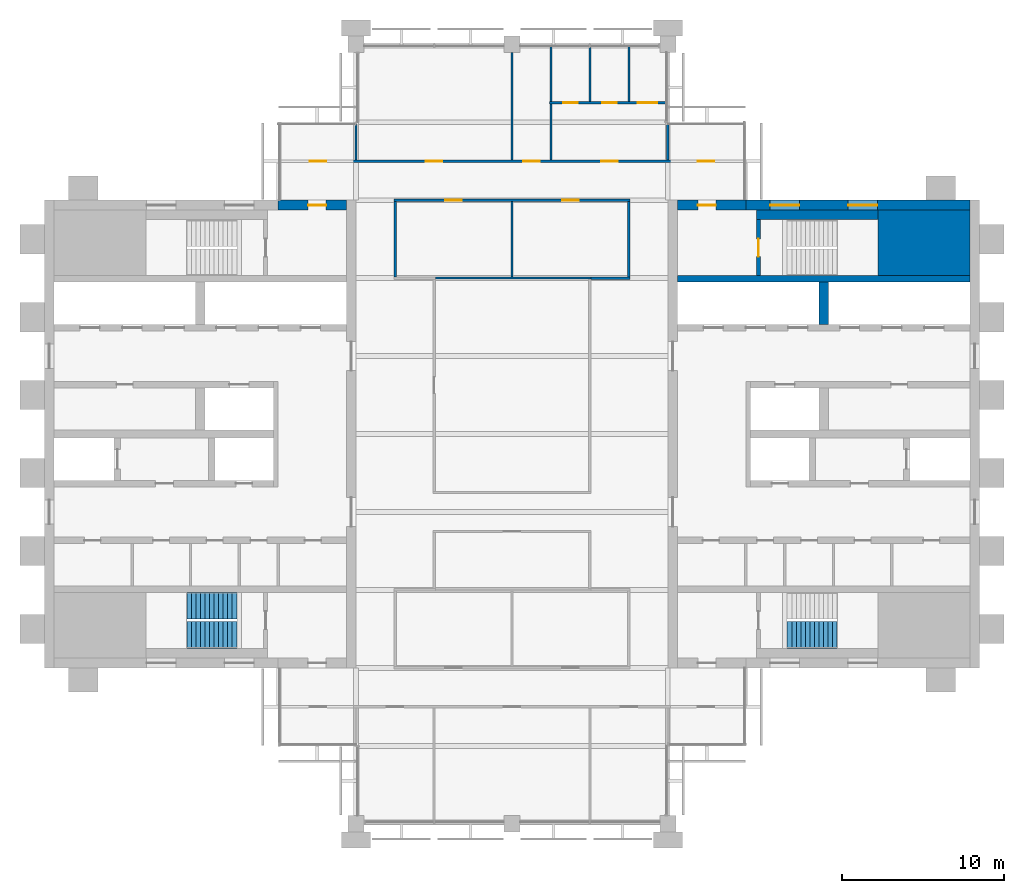
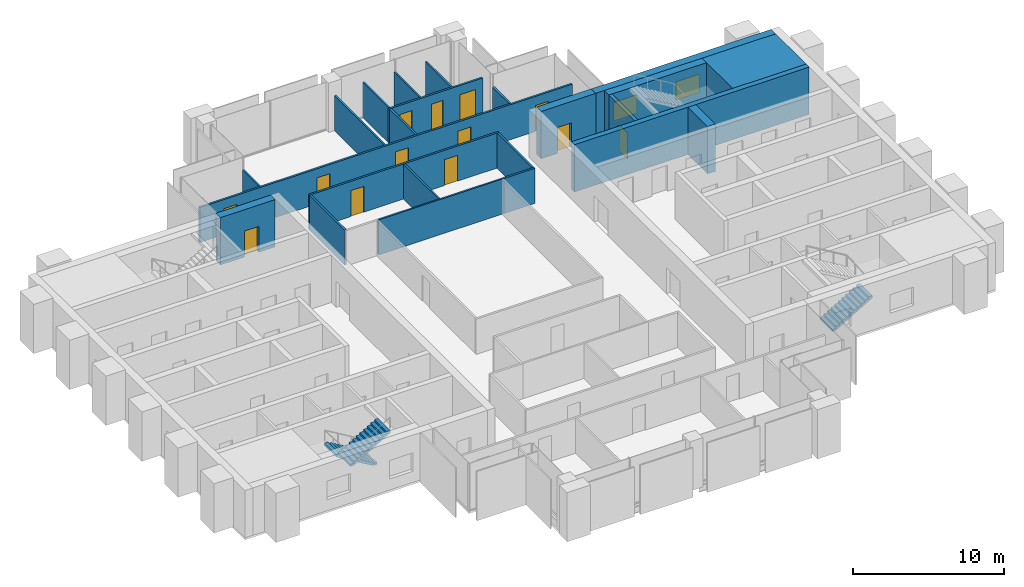
# One storey, part 11 of 13: 23 walls, 13 doors, 3 stair flights, 2 windows, 15 openings, 2 elements without a shape of their own.
"""IFC4 building model written with IfcOpenShell, lengths in metres."""

import ifcopenshell
import ifcopenshell.guid

model = None  # the IFC model being written
_history = None  # IfcOwnerHistory: only IFC2X3 demands one
_inside = {}  # id of a spatial element -> (the spatial element, [elements in it])
_under = {}  # id of a project, library or spatial element -> (it, [spatial elements below it])
_declared = {}  # id of a project -> (the project, [libraries it declares])
_typed = {}  # id of a type object -> (the type object, [elements of that type])
_made_of = {}  # id of a material, layer set ... -> (it, [elements and type objects made of it])


def new_model(schema):
    """Start an empty IFC model of exactly this schema.

    Asked for "IFC4X3", IfcOpenShell would pick the latest addendum, in which some entities
    have other attributes; the version numbers below select the first issue.
    IFC2X3 requires an IfcOwnerHistory on every rooted entity: one is made here for all.
    """
    global model, _history
    if schema == "IFC4X3":
        model = ifcopenshell.file(schema_version=(4, 3, 0, 0))
    else:
        model = ifcopenshell.file(schema=schema)
    _inside.clear()
    _under.clear()
    _declared.clear()
    _typed.clear()
    _made_of.clear()
    _history = None
    if model.schema == "IFC2X3":
        org = make("IfcOrganization", Name="unknown")
        user = make(
            "IfcPersonAndOrganization",
            ThePerson=make("IfcPerson", FamilyName="unknown"),
            TheOrganization=org,
        )
        app = make(
            "IfcApplication",
            ApplicationDeveloper=org,
            Version="unknown",
            ApplicationFullName="unknown",
            ApplicationIdentifier="unknown",
        )
        _history = make(
            "IfcOwnerHistory",
            OwningUser=user,
            OwningApplication=app,
            ChangeAction="ADDED",
            CreationDate=0,
        )
    return model


def make(cls, **values):
    """One entity of the class cls with the attributes given. An attribute that is None is left unset."""
    return model.create_entity(
        cls, **{name: value for name, value in values.items() if value is not None}
    )


def rooted(cls, **values):
    """An entity with a GlobalId (a new one), such as an element, a storey or a relation."""
    return make(cls, GlobalId=ifcopenshell.guid.new(), OwnerHistory=_history, **values)


def si_unit(unit_type, name, prefix=None):
    """IfcSIUnit, for example si_unit("LENGTHUNIT", "METRE", prefix="MILLI")."""
    return make("IfcSIUnit", UnitType=unit_type, Prefix=prefix, Name=name)


def assignment(units):
    """IfcUnitAssignment: the units of a project."""
    return None if units is None else make("IfcUnitAssignment", Units=units)


def point(xyz):
    """IfcCartesianPoint."""
    return None if xyz is None else make("IfcCartesianPoint", Coordinates=xyz)


def direction(xyz):
    """IfcDirection."""
    return None if xyz is None else make("IfcDirection", DirectionRatios=xyz)


def frame(location, z_axis=None, x_axis=None):
    """IfcAxis2Placement3D, a coordinate frame: its origin and axes. An axis left out is left unset."""
    return make(
        "IfcAxis2Placement3D",
        Location=point(location),
        Axis=direction(z_axis),
        RefDirection=direction(x_axis),
    )


def frame_2d(location, x_axis=None):
    """IfcAxis2Placement2D, a coordinate frame in the plane: its origin and x axis."""
    return make(
        "IfcAxis2Placement2D", Location=point(location), RefDirection=direction(x_axis)
    )


def origin():
    """The frame at (0, 0, 0) with its axes left unset."""
    return frame((0.0, 0.0, 0.0))


def place(relative_to, where):
    """IfcLocalPlacement: puts the frame where relative to a parent placement (None: the world)."""
    return make(
        "IfcLocalPlacement", PlacementRelTo=relative_to, RelativePlacement=where
    )


def context(
    kind, dimensions, precision=None, world=None, true_north=None, identifier=None
):
    """IfcGeometricRepresentationContext, for example the 3D "Model" context."""
    return make(
        "IfcGeometricRepresentationContext",
        ContextIdentifier=identifier,
        ContextType=kind,
        CoordinateSpaceDimension=dimensions,
        Precision=precision,
        WorldCoordinateSystem=world,
        TrueNorth=true_north,
    )


def subcontext(parent, identifier, kind, view, scale=None):
    """IfcGeometricRepresentationSubContext, for example "Body" below "Model"."""
    return make(
        "IfcGeometricRepresentationSubContext",
        ContextIdentifier=identifier,
        ContextType=kind,
        ParentContext=parent,
        TargetScale=scale,
        TargetView=view,
    )


def project(units=None, contexts=None):
    """IfcProject with its units and contexts."""
    return rooted(
        "IfcProject",
        Name="project",
        RepresentationContexts=contexts,
        UnitsInContext=assignment(units),
    )


def spatial(cls, under=None, at=None, **own):
    """A site, building, storey or space (cls), placed at a placement, below another one or the project."""
    s = rooted(cls, ObjectPlacement=at, **own)
    if under is not None:
        _under.setdefault(under.id(), (under, []))[1].append(s)
    return s


def polyline(points):
    """IfcPolyline through the points."""
    return make("IfcPolyline", Points=[point(p) for p in points])


def profile(cls, at=None, kind="AREA", **sizes):
    """A parametric profile (cls). Its sizes go by their IFC names, for example OverallWidth=200.0."""
    return make(cls, ProfileType=kind, Position=at, **sizes)


def rectangle(**sizes):
    """IfcRectangleProfileDef."""
    return profile("IfcRectangleProfileDef", **sizes)


def outline(outer, holes=None, kind="AREA"):
    """IfcArbitraryClosedProfileDef: a profile drawn as a closed curve; with holes, ...WithVoids."""
    if holes is None:
        return make("IfcArbitraryClosedProfileDef", ProfileType=kind, OuterCurve=outer)
    return make(
        "IfcArbitraryProfileDefWithVoids",
        ProfileType=kind,
        OuterCurve=outer,
        InnerCurves=holes,
    )


def extrude(swept, where, along, depth):
    """IfcExtrudedAreaSolid: the profile swept, set in the frame where, extruded along a direction by depth."""
    return make(
        "IfcExtrudedAreaSolid",
        SweptArea=swept,
        Position=where,
        ExtrudedDirection=direction(along),
        Depth=depth,
    )


def shape(context_of_items, identifier, shape_type, items):
    """IfcShapeRepresentation: the items that make up one representation, for example the "Body"."""
    return make(
        "IfcShapeRepresentation",
        ContextOfItems=context_of_items,
        RepresentationIdentifier=identifier,
        RepresentationType=shape_type,
        Items=items,
    )


def material(Name=None, Category=None):
    """IfcMaterial."""
    return make("IfcMaterial", Name=Name, Category=Category)


def layer(
    of_material, thickness, ventilated=None, Name=None, Category=None, Priority=None
):
    """IfcMaterialLayer: one layer of a wall or slab, of a material (None: an air gap)."""
    return make(
        "IfcMaterialLayer",
        Material=of_material,
        LayerThickness=thickness,
        IsVentilated=ventilated,
        Name=Name,
        Category=Category,
        Priority=Priority,
    )


def layer_set(layers, Name=None):
    """IfcMaterialLayerSet."""
    return make("IfcMaterialLayerSet", MaterialLayers=layers, LayerSetName=Name)


def made_of(thing, what):
    """Note that an element or type object is made of a material, layer set ...; save() writes the relation."""
    if what is not None:
        _made_of.setdefault(what.id(), (what, []))[1].append(thing)
    return thing


def type_object(cls, material=None, **own):
    """A type object (cls), such as IfcWallType, which elements share."""
    return made_of(rooted(cls, **own), material)


def element(
    cls,
    number,
    at=None,
    inside=None,
    cuts=None,
    type_object=None,
    material=None,
    context=None,
    identifier="Body",
    shape_type=None,
    held_by="IfcProductDefinitionShape",
    body=None,
    shapes=None,
    **own,
):
    """One element of the class cls, such as IfcWall. Its Tag is "e" and its number.

    at: its placement. inside: the storey or other place that contains it. cuts: it is an
    opening in that element (IfcRelVoidsElement). A single representation is given by context,
    identifier, shape_type and body (its items); several are given by shapes. held_by: the class
    of the entity that holds the representations. save() writes the other relations.
    """
    e = rooted(cls, Tag="e%d" % number, ObjectPlacement=at, **own)
    if body is not None:
        shapes = [shape(context, identifier, shape_type, body)]
    if shapes is not None:
        e.Representation = make(held_by, Representations=shapes)
    if inside is not None:
        _inside.setdefault(inside.id(), (inside, []))[1].append(e)
    if cuts is not None:
        rooted(
            "IfcRelVoidsElement", RelatingBuildingElement=cuts, RelatedOpeningElement=e
        )
    if type_object is not None:
        _typed.setdefault(type_object.id(), (type_object, []))[1].append(e)
    return made_of(e, material)


def fill(opening, filler):
    """IfcRelFillsElement: the door or window that sits in an opening."""
    return rooted(
        "IfcRelFillsElement",
        RelatingOpeningElement=opening,
        RelatedBuildingElement=filler,
    )


def aggregate(whole, parts):
    """IfcRelAggregates: a whole, such as a stair, and the parts it consists of."""
    return rooted("IfcRelAggregates", RelatingObject=whole, RelatedObjects=parts)


def save(model, path):
    """Write the relations noted so far, then the file.

    IfcRelAggregates (storeys below a building ...), IfcRelContainedInSpatialStructure (elements
    in a storey), IfcRelDefinesByType, IfcRelAssociatesMaterial and IfcRelDeclares: one each for
    every whole, place, type object, material and project.
    """
    for whole, parts in _under.values():
        aggregate(whole, parts)
    for where, things in _inside.values():
        rooted(
            "IfcRelContainedInSpatialStructure",
            RelatedElements=things,
            RelatingStructure=where,
        )
    for kind, things in _typed.values():
        rooted("IfcRelDefinesByType", RelatedObjects=things, RelatingType=kind)
    for what, things in _made_of.values():
        rooted("IfcRelAssociatesMaterial", RelatedObjects=things, RelatingMaterial=what)
    for by, libraries in _declared.values():
        rooted("IfcRelDeclares", RelatingContext=by, RelatedDefinitions=libraries)
    model.write(path)


model = new_model("IFC4")

# Units and contexts
model_context = context("Model", 3, precision=1e-05, world=origin(), true_north=direction((0.0, 1.0)))
body_context = subcontext(model_context, "Body", "Model", "MODEL_VIEW")
ifc_project = project(units=[si_unit("LENGTHUNIT", "METRE"), si_unit("AREAUNIT", "SQUARE_METRE"), si_unit("VOLUMEUNIT", "CUBIC_METRE"), si_unit("PLANEANGLEUNIT", "RADIAN"), si_unit("MASSUNIT", "GRAM", prefix="KILO")], contexts=[model_context])

# Site, building, storey
site_placement = place(None, origin())
site = spatial("IfcSite", under=ifc_project, at=site_placement, CompositionType="ELEMENT")
building_placement = place(site_placement, origin())
building = spatial("IfcBuilding", under=site, at=building_placement, Name="Baori Bourse Tower", CompositionType="ELEMENT")
storey_placement = place(building_placement, frame((0.0, 0.0, 334.300048828125)))
storey = spatial("IfcBuildingStorey", under=building, at=storey_placement, Name="L74", CompositionType="ELEMENT", Elevation=334.300048828125)

# Wall
ifc_material_1 = material(Name="Concrete f'c 40 MPa", Category="concrete")
wall_type_1 = type_object("IfcWallType", Name="Core corner block f'c 40", PredefinedType="SHEAR", material=ifc_material_1)
wall_1_placement = place(storey_placement, frame((51.35009765625, 35.77490234375, 0.0), z_axis=(0.0, 0.0, 1.0), x_axis=(1.0, 0.0, 0.0)))
element("IfcWall", 1, at=wall_1_placement, inside=storey, type_object=wall_type_1, Name="Core wall E24", PredefinedType="SHEAR", context=body_context, shape_type="SweptSolid", body=[
    extrude(rectangle(XDim=5.64990234375, YDim=4.050048828125, at=frame_2d((2.824951171875, 0.0))), origin(), (0.0, 0.0, 1.0), 3.83984375),
])

# Wall, opening, door
ifc_material_2 = material(Name="Concrete f'c 40 MPa", Category="concrete")
ifc_layer_1 = layer(ifc_material_2, 0.60009765625)
ifc_layer_set_1 = layer_set([ifc_layer_1], Name="Core wall 600 f'c 40")
wall_type_2 = type_object("IfcWallType", Name="Core wall 600 f'c 40", PredefinedType="SHEAR", material=ifc_layer_set_1)
wall_2_placement = place(storey_placement, frame((14.39990234375, 38.10009765625, 0.0), z_axis=(0.0, 0.0, 1.0), x_axis=(1.0, 0.0, 0.0)))
wall_2 = element("IfcWall", 2, at=wall_2_placement, inside=storey, type_object=wall_type_2, Name="Core wall W28", PredefinedType="SHEAR", context=body_context, shape_type="SweptSolid", body=[
    extrude(rectangle(XDim=4.2001953125, YDim=0.60009765625, at=frame_2d((2.10009765625, 0.0))), origin(), (0.0, 0.0, 1.0), 3.83984375),
])
opening_1_placement = place(wall_2_placement, frame((1.85009765625, 0.0, 0.0)))
opening_1 = element("IfcOpeningElement", 3, at=opening_1_placement, cuts=wall_2, Name="Opening L74-D104", PredefinedType="OPENING", context=body_context, shape_type="SweptSolid", body=[
    extrude(rectangle(XDim=1.10009765625, YDim=2.10009765625, at=frame_2d((0.550048828125, 1.050048828125))), frame((0.0, 0.31005859375, 0.0), z_axis=(0.0, -1.0, 0.0), x_axis=(1.0, 0.0, 0.0)), (0.0, 0.0, 1.0), 0.6201171875),
])
ifc_material_3 = material(Name="Painted steel door", Category="steel")
door_type_1 = type_object("IfcDoorType", Name="Stair door 1100", OperationType="SINGLE_SWING_LEFT", PredefinedType="DOOR", material=ifc_material_3)
door_1_placement = place(opening_1_placement, origin())
door_1 = element("IfcDoor", 4, at=door_1_placement, inside=storey, type_object=door_type_1, Name="Stair vestibule door B W L74", OperationType="SINGLE_SWING_LEFT", OverallHeight=2.10009765625, OverallWidth=1.10009765625, PredefinedType="DOOR", context=body_context, shape_type="SweptSolid", body=[
    extrude(rectangle(XDim=1.10009765625, YDim=2.10009765625, at=frame_2d((0.550048828125, 1.050048828125))), frame((0.0, 0.02490234375, 0.0), z_axis=(0.0, -1.0, 0.0), x_axis=(1.0, 0.0, 0.0)), (0.0, 0.0, 1.0), 0.050048828125),
])
fill(opening_1, door_1)

# Wall, openings, windows
wall_3_placement = place(storey_placement, frame((43.199951171875, 38.10009765625, 0.0), z_axis=(0.0, 0.0, 1.0), x_axis=(1.0, 0.0, 0.0)))
wall_3 = element("IfcWall", 5, at=wall_3_placement, inside=storey, type_object=wall_type_2, Name="Core wall E27", PredefinedType="SHEAR", context=body_context, shape_type="SweptSolid", body=[
    extrude(rectangle(XDim=13.800048828125, YDim=0.60009765625, at=frame_2d((6.89990234375, 0.0))), origin(), (0.0, 0.0, 1.0), 3.83984375),
])
opening_2_placement = place(wall_3_placement, frame((6.300048828125, 0.0, 0.89990234375)))
opening_2 = element("IfcOpeningElement", 6, at=opening_2_placement, cuts=wall_3, Name="Opening L74-KW205", PredefinedType="OPENING", context=body_context, shape_type="SweptSolid", body=[
    extrude(rectangle(XDim=1.800048828125, YDim=1.5, at=frame_2d((0.89990234375, 0.75))), frame((0.0, 0.31005859375, 0.0), z_axis=(0.0, -1.0, 0.0), x_axis=(1.0, 0.0, 0.0)), (0.0, 0.0, 1.0), 0.6201171875),
])
opening_3_placement = place(wall_3_placement, frame((1.5, 0.0, 0.89990234375)))
opening_3 = element("IfcOpeningElement", 7, at=opening_3_placement, cuts=wall_3, Name="Opening L74-KW206", PredefinedType="OPENING", context=body_context, shape_type="SweptSolid", body=[
    extrude(rectangle(XDim=1.800048828125, YDim=1.5, at=frame_2d((0.89990234375, 0.75))), frame((0.0, 0.31005859375, 0.0), z_axis=(0.0, -1.0, 0.0), x_axis=(1.0, 0.0, 0.0)), (0.0, 0.0, 1.0), 0.6201171875),
])
ifc_material_4 = material(Name="Pale anodised aluminium", Category="aluminium")
window_type = type_object("IfcWindowType", Name="Stair window 1800 x 1500", PartitioningType="SINGLE_PANEL", PredefinedType="WINDOW", material=ifc_material_4)
window_1_placement = place(opening_2_placement, origin())
window_1 = element("IfcWindow", 8, at=window_1_placement, inside=storey, type_object=window_type, Name="Stair window E L74 5", OverallHeight=1.5, OverallWidth=1.800048828125, PartitioningType="SINGLE_PANEL", PredefinedType="WINDOW", context=body_context, shape_type="SweptSolid", body=[
    extrude(rectangle(XDim=1.800048828125, YDim=1.5, at=frame_2d((0.89990234375, 0.75))), frame((0.0, 0.030029296875, 0.0), z_axis=(0.0, -1.0, 0.0), x_axis=(1.0, 0.0, 0.0)), (0.0, 0.0, 1.0), 0.06005859375),
])
fill(opening_2, window_1)
window_2_placement = place(opening_3_placement, origin())
window_2 = element("IfcWindow", 9, at=window_2_placement, inside=storey, type_object=window_type, Name="Stair window E L74 6", OverallHeight=1.5, OverallWidth=1.800048828125, PartitioningType="SINGLE_PANEL", PredefinedType="WINDOW", context=body_context, shape_type="SweptSolid", body=[
    extrude(rectangle(XDim=1.800048828125, YDim=1.5, at=frame_2d((0.89990234375, 0.75))), frame((0.0, 0.030029296875, 0.0), z_axis=(0.0, -1.0, 0.0), x_axis=(1.0, 0.0, 0.0)), (0.0, 0.0, 1.0), 0.06005859375),
])
fill(opening_3, window_2)

# Wall, opening, door
wall_4_placement = place(storey_placement, frame((39.0, 38.10009765625, 0.0), z_axis=(0.0, 0.0, 1.0), x_axis=(1.0, 0.0, 0.0)))
wall_4 = element("IfcWall", 10, at=wall_4_placement, inside=storey, type_object=wall_type_2, Name="Core wall E28", PredefinedType="SHEAR", context=body_context, shape_type="SweptSolid", body=[
    extrude(rectangle(XDim=4.199951171875, YDim=0.60009765625, at=frame_2d((2.10009765625, 0.0))), origin(), (0.0, 0.0, 1.0), 3.83984375),
])
opening_4_placement = place(wall_4_placement, frame((1.25, 0.0, 0.0)))
opening_4 = element("IfcOpeningElement", 11, at=opening_4_placement, cuts=wall_4, Name="Opening L74-D204", PredefinedType="OPENING", context=body_context, shape_type="SweptSolid", body=[
    extrude(rectangle(XDim=1.10009765625, YDim=2.10009765625, at=frame_2d((0.550048828125, 1.050048828125))), frame((0.0, 0.31005859375, 0.0), z_axis=(0.0, -1.0, 0.0), x_axis=(1.0, 0.0, 0.0)), (0.0, 0.0, 1.0), 0.6201171875),
])
door_2_placement = place(opening_4_placement, origin())
door_2 = element("IfcDoor", 12, at=door_2_placement, inside=storey, type_object=door_type_1, Name="Stair vestibule door B E L74", OperationType="SINGLE_SWING_LEFT", OverallHeight=2.10009765625, OverallWidth=1.10009765625, PredefinedType="DOOR", context=body_context, shape_type="SweptSolid", body=[
    extrude(rectangle(XDim=1.10009765625, YDim=2.10009765625, at=frame_2d((0.550048828125, 1.050048828125))), frame((0.0, 0.02490234375, 0.0), z_axis=(0.0, -1.0, 0.0), x_axis=(1.0, 0.0, 0.0)), (0.0, 0.0, 1.0), 0.050048828125),
])
fill(opening_4, door_2)

# Wall
ifc_material_5 = material(Name="Gypsum board partition")
ifc_layer_2 = layer(ifc_material_5, 0.14990234375)
ifc_layer_set_2 = layer_set([ifc_layer_2], Name="Corridor partition 150")
wall_type_3 = type_object("IfcWallType", Name="Corridor partition 150", PredefinedType="PARTITIONING", material=ifc_layer_set_2)
wall_5_placement = place(storey_placement, frame((33.675048828125, 33.60009765625, 0.0), z_axis=(0.0, 0.0, 1.0), x_axis=(1.0, 0.0, 0.0)))
element("IfcWall", 13, at=wall_5_placement, inside=storey, type_object=wall_type_3, Name="Partition", PredefinedType="PARTITIONING", context=body_context, shape_type="SweptSolid", body=[
    extrude(rectangle(XDim=2.39990234375, YDim=0.14990234375, at=frame_2d((1.199951171875, 0.0))), origin(), (0.0, 0.0, 1.0), 2.849365234375),
])

# Wall, openings, doors
wall_6_placement = place(storey_placement, frame((21.52490234375, 38.39990234375, 0.0), z_axis=(0.0, 0.0, 1.0), x_axis=(1.0, 0.0, 0.0)))
wall_6 = element("IfcWall", 14, at=wall_6_placement, inside=storey, type_object=wall_type_3, Name="Partition", PredefinedType="PARTITIONING", context=body_context, shape_type="SweptSolid", body=[
    extrude(rectangle(XDim=14.550048828125, YDim=0.14990234375, at=frame_2d((7.27490234375, 0.0))), origin(), (0.0, 0.0, 1.0), 2.849365234375),
])
opening_5_placement = place(wall_6_placement, frame((3.175048828125, 0.0, 0.0)))
opening_5 = element("IfcOpeningElement", 15, at=opening_5_placement, cuts=wall_6, Name="Opening L74-D09", PredefinedType="OPENING", context=body_context, shape_type="SweptSolid", body=[
    extrude(rectangle(XDim=1.0, YDim=2.10009765625, at=frame_2d((0.5, 1.050048828125))), frame((0.0, 0.0849609375, 0.0), z_axis=(0.0, -1.0, 0.0), x_axis=(1.0, 0.0, 0.0)), (0.0, 0.0, 1.0), 0.169921875),
])
opening_6_placement = place(wall_6_placement, frame((10.375, 0.0, 0.0)))
opening_6 = element("IfcOpeningElement", 16, at=opening_6_placement, cuts=wall_6, Name="Opening L74-D10", PredefinedType="OPENING", context=body_context, shape_type="SweptSolid", body=[
    extrude(rectangle(XDim=1.0, YDim=2.10009765625, at=frame_2d((0.5, 1.050048828125))), frame((0.0, 0.0849609375, 0.0), z_axis=(0.0, -1.0, 0.0), x_axis=(1.0, 0.0, 0.0)), (0.0, 0.0, 1.0), 0.169921875),
])
ifc_material_6 = material(Name="Timber door leaf", Category="wood")
door_type_2 = type_object("IfcDoorType", Name="Door 1000 x 2100", OperationType="SINGLE_SWING_LEFT", PredefinedType="DOOR", material=ifc_material_6)
door_3_placement = place(opening_5_placement, origin())
door_3 = element("IfcDoor", 17, at=door_3_placement, inside=storey, type_object=door_type_2, Name="Door", OperationType="SINGLE_SWING_LEFT", OverallHeight=2.10009765625, OverallWidth=1.0, PredefinedType="DOOR", context=body_context, shape_type="SweptSolid", body=[
    extrude(rectangle(XDim=1.0, YDim=2.10009765625, at=frame_2d((0.5, 1.050048828125))), frame((0.0, 0.02490234375, 0.0), z_axis=(0.0, -1.0, 0.0), x_axis=(1.0, 0.0, 0.0)), (0.0, 0.0, 1.0), 0.050048828125),
])
fill(opening_5, door_3)
door_4_placement = place(opening_6_placement, origin())
door_4 = element("IfcDoor", 18, at=door_4_placement, inside=storey, type_object=door_type_2, Name="Door", OperationType="SINGLE_SWING_RIGHT", OverallHeight=2.10009765625, OverallWidth=1.0, PredefinedType="DOOR", context=body_context, shape_type="SweptSolid", body=[
    extrude(rectangle(XDim=1.0, YDim=2.10009765625, at=frame_2d((0.5, 1.050048828125))), frame((0.0, 0.02490234375, 0.0), z_axis=(0.0, -1.0, 0.0), x_axis=(1.0, 0.0, 0.0)), (0.0, 0.0, 1.0), 0.050048828125),
])
fill(opening_6, door_4)

wall_7_placement = place(storey_placement, frame((14.5, 40.800048828125, 0.0), z_axis=(0.0, 0.0, 1.0), x_axis=(1.0, 0.0, 0.0)))
wall_7 = element("IfcWall", 19, at=wall_7_placement, inside=storey, type_object=wall_type_3, Name="Partition", PredefinedType="PARTITIONING", context=body_context, shape_type="SweptSolid", body=[
    extrude(rectangle(XDim=28.60009765625, YDim=0.14990234375, at=frame_2d((14.300048828125, 0.0))), origin(), (0.0, 0.0, 1.0), 2.849365234375),
])
opening_7_placement = place(wall_7_placement, frame((1.85009765625, 0.0, 0.0)))
opening_7 = element("IfcOpeningElement", 20, at=opening_7_placement, cuts=wall_7, Name="Opening L74-D11", PredefinedType="OPENING", context=body_context, shape_type="SweptSolid", body=[
    extrude(rectangle(XDim=1.0, YDim=2.10009765625, at=frame_2d((0.5, 1.050048828125))), frame((0.0, 0.0849609375, 0.0), z_axis=(0.0, -1.0, 0.0), x_axis=(1.0, 0.0, 0.0)), (0.0, 0.0, 1.0), 0.169921875),
])
opening_8_placement = place(wall_7_placement, frame((9.0, 0.0, 0.0)))
opening_8 = element("IfcOpeningElement", 21, at=opening_8_placement, cuts=wall_7, Name="Opening L74-D12", PredefinedType="OPENING", context=body_context, shape_type="SweptSolid", body=[
    extrude(rectangle(XDim=1.0, YDim=2.10009765625, at=frame_2d((0.5, 1.050048828125))), frame((0.0, 0.0849609375, 0.0), z_axis=(0.0, -1.0, 0.0), x_axis=(1.0, 0.0, 0.0)), (0.0, 0.0, 1.0), 0.169921875),
])
opening_9_placement = place(wall_7_placement, frame((15.0, 0.0, 0.0)))
opening_9 = element("IfcOpeningElement", 22, at=opening_9_placement, cuts=wall_7, Name="Opening L74-D13", PredefinedType="OPENING", context=body_context, shape_type="SweptSolid", body=[
    extrude(rectangle(XDim=1.0, YDim=2.10009765625, at=frame_2d((0.5, 1.050048828125))), frame((0.0, 0.0849609375, 0.0), z_axis=(0.0, -1.0, 0.0), x_axis=(1.0, 0.0, 0.0)), (0.0, 0.0, 1.0), 0.169921875),
])
opening_10_placement = place(wall_7_placement, frame((19.800048828125, 0.0, 0.0)))
opening_10 = element("IfcOpeningElement", 23, at=opening_10_placement, cuts=wall_7, Name="Opening L74-D14", PredefinedType="OPENING", context=body_context, shape_type="SweptSolid", body=[
    extrude(rectangle(XDim=1.0, YDim=2.10009765625, at=frame_2d((0.5, 1.050048828125))), frame((0.0, 0.0849609375, 0.0), z_axis=(0.0, -1.0, 0.0), x_axis=(1.0, 0.0, 0.0)), (0.0, 0.0, 1.0), 0.169921875),
])
opening_11_placement = place(wall_7_placement, frame((25.75, 0.0, 0.0)))
opening_11 = element("IfcOpeningElement", 24, at=opening_11_placement, cuts=wall_7, Name="Opening L74-D15", PredefinedType="OPENING", context=body_context, shape_type="SweptSolid", body=[
    extrude(rectangle(XDim=1.0, YDim=2.10009765625, at=frame_2d((0.5, 1.050048828125))), frame((0.0, 0.0849609375, 0.0), z_axis=(0.0, -1.0, 0.0), x_axis=(1.0, 0.0, 0.0)), (0.0, 0.0, 1.0), 0.169921875),
])
door_5_placement = place(opening_7_placement, origin())
door_5 = element("IfcDoor", 25, at=door_5_placement, inside=storey, type_object=door_type_2, Name="Door", OperationType="SINGLE_SWING_RIGHT", OverallHeight=2.10009765625, OverallWidth=1.0, PredefinedType="DOOR", context=body_context, shape_type="SweptSolid", body=[
    extrude(rectangle(XDim=1.0, YDim=2.10009765625, at=frame_2d((0.5, 1.050048828125))), frame((0.0, 0.02490234375, 0.0), z_axis=(0.0, -1.0, 0.0), x_axis=(1.0, 0.0, 0.0)), (0.0, 0.0, 1.0), 0.050048828125),
])
fill(opening_7, door_5)
door_6_placement = place(opening_8_placement, origin())
door_6 = element("IfcDoor", 26, at=door_6_placement, inside=storey, type_object=door_type_2, Name="Door", OperationType="SINGLE_SWING_RIGHT", OverallHeight=2.10009765625, OverallWidth=1.0, PredefinedType="DOOR", context=body_context, shape_type="SweptSolid", body=[
    extrude(rectangle(XDim=1.0, YDim=2.10009765625, at=frame_2d((0.5, 1.050048828125))), frame((0.0, 0.02490234375, 0.0), z_axis=(0.0, -1.0, 0.0), x_axis=(1.0, 0.0, 0.0)), (0.0, 0.0, 1.0), 0.050048828125),
])
fill(opening_8, door_6)
door_7_placement = place(opening_9_placement, origin())
door_7 = element("IfcDoor", 27, at=door_7_placement, inside=storey, type_object=door_type_2, Name="Door", OperationType="SINGLE_SWING_LEFT", OverallHeight=2.10009765625, OverallWidth=1.0, PredefinedType="DOOR", context=body_context, shape_type="SweptSolid", body=[
    extrude(rectangle(XDim=1.0, YDim=2.10009765625, at=frame_2d((0.5, 1.050048828125))), frame((0.0, 0.02490234375, 0.0), z_axis=(0.0, -1.0, 0.0), x_axis=(1.0, 0.0, 0.0)), (0.0, 0.0, 1.0), 0.050048828125),
])
fill(opening_9, door_7)
door_8_placement = place(opening_10_placement, origin())
door_8 = element("IfcDoor", 28, at=door_8_placement, inside=storey, type_object=door_type_2, Name="Door", OperationType="SINGLE_SWING_RIGHT", OverallHeight=2.10009765625, OverallWidth=1.0, PredefinedType="DOOR", context=body_context, shape_type="SweptSolid", body=[
    extrude(rectangle(XDim=1.0, YDim=2.10009765625, at=frame_2d((0.5, 1.050048828125))), frame((0.0, 0.02490234375, 0.0), z_axis=(0.0, -1.0, 0.0), x_axis=(1.0, 0.0, 0.0)), (0.0, 0.0, 1.0), 0.050048828125),
])
fill(opening_10, door_8)
door_9_placement = place(opening_11_placement, origin())
door_9 = element("IfcDoor", 29, at=door_9_placement, inside=storey, type_object=door_type_2, Name="Door", OperationType="SINGLE_SWING_LEFT", OverallHeight=2.10009765625, OverallWidth=1.0, PredefinedType="DOOR", context=body_context, shape_type="SweptSolid", body=[
    extrude(rectangle(XDim=1.0, YDim=2.10009765625, at=frame_2d((0.5, 1.050048828125))), frame((0.0, 0.02490234375, 0.0), z_axis=(0.0, -1.0, 0.0), x_axis=(1.0, 0.0, 0.0)), (0.0, 0.0, 1.0), 0.050048828125),
])
fill(opening_11, door_9)

wall_8_placement = place(storey_placement, frame((31.125, 44.39990234375, 0.0), z_axis=(0.0, 0.0, 1.0), x_axis=(1.0, 0.0, 0.0)))
wall_8 = element("IfcWall", 30, at=wall_8_placement, inside=storey, type_object=wall_type_3, Name="Partition", PredefinedType="PARTITIONING", context=body_context, shape_type="SweptSolid", body=[
    extrude(rectangle(XDim=7.175048828125, YDim=0.14990234375, at=frame_2d((3.58740234375, 0.0))), origin(), (0.0, 0.0, 1.0), 2.849365234375),
])
opening_12_placement = place(wall_8_placement, frame((0.824951171875, 0.0, 0.0)))
opening_12 = element("IfcOpeningElement", 31, at=opening_12_placement, cuts=wall_8, Name="Opening L74-D16", PredefinedType="OPENING", context=body_context, shape_type="SweptSolid", body=[
    extrude(rectangle(XDim=0.89990234375, YDim=2.10009765625, at=frame_2d((0.449951171875, 1.050048828125))), frame((0.0, 0.0849609375, 0.0), z_axis=(0.0, -1.0, 0.0), x_axis=(1.0, 0.0, 0.0)), (0.0, 0.0, 1.0), 0.169921875),
])
opening_13_placement = place(wall_8_placement, frame((3.22509765625, 0.0, 0.0)))
opening_13 = element("IfcOpeningElement", 32, at=opening_13_placement, cuts=wall_8, Name="Opening L74-D17", PredefinedType="OPENING", context=body_context, shape_type="SweptSolid", body=[
    extrude(rectangle(XDim=0.89990234375, YDim=2.10009765625, at=frame_2d((0.449951171875, 1.050048828125))), frame((0.0, 0.0849609375, 0.0), z_axis=(0.0, -1.0, 0.0), x_axis=(1.0, 0.0, 0.0)), (0.0, 0.0, 1.0), 0.169921875),
])
opening_14_placement = place(wall_8_placement, frame((5.425048828125, 0.0, 0.0)))
opening_14 = element("IfcOpeningElement", 33, at=opening_14_placement, cuts=wall_8, Name="Opening L74-D18", PredefinedType="OPENING", context=body_context, shape_type="SweptSolid", body=[
    extrude(rectangle(XDim=1.199951171875, YDim=2.10009765625, at=frame_2d((0.60009765625, 1.050048828125))), frame((0.0, 0.0849609375, 0.0), z_axis=(0.0, -1.0, 0.0), x_axis=(1.0, 0.0, 0.0)), (0.0, 0.0, 1.0), 0.169921875),
])
ifc_material_7 = material(Name="Timber door leaf", Category="wood")
door_type_3 = type_object("IfcDoorType", Name="Door 1200 x 2100", OperationType="SINGLE_SWING_LEFT", PredefinedType="DOOR", material=ifc_material_7)
door_10_placement = place(opening_14_placement, origin())
door_10 = element("IfcDoor", 34, at=door_10_placement, inside=storey, type_object=door_type_3, Name="Door", OperationType="SINGLE_SWING_LEFT", OverallHeight=2.10009765625, OverallWidth=1.199951171875, PredefinedType="DOOR", context=body_context, shape_type="SweptSolid", body=[
    extrude(rectangle(XDim=1.199951171875, YDim=2.10009765625, at=frame_2d((0.60009765625, 1.050048828125))), frame((0.0, 0.02490234375, 0.0), z_axis=(0.0, -1.0, 0.0), x_axis=(1.0, 0.0, 0.0)), (0.0, 0.0, 1.0), 0.050048828125),
])
fill(opening_14, door_10)
ifc_material_8 = material(Name="Timber door leaf", Category="wood")
door_type_4 = type_object("IfcDoorType", Name="Door 900 x 2100", OperationType="SINGLE_SWING_LEFT", PredefinedType="DOOR", material=ifc_material_8)
door_11_placement = place(opening_12_placement, origin())
door_11 = element("IfcDoor", 35, at=door_11_placement, inside=storey, type_object=door_type_4, Name="Door", OperationType="SINGLE_SWING_RIGHT", OverallHeight=2.10009765625, OverallWidth=0.89990234375, PredefinedType="DOOR", context=body_context, shape_type="SweptSolid", body=[
    extrude(rectangle(XDim=0.89990234375, YDim=2.10009765625, at=frame_2d((0.449951171875, 1.050048828125))), frame((0.0, 0.02490234375, 0.0), z_axis=(0.0, -1.0, 0.0), x_axis=(1.0, 0.0, 0.0)), (0.0, 0.0, 1.0), 0.050048828125),
])
fill(opening_12, door_11)
door_12_placement = place(opening_13_placement, origin())
door_12 = element("IfcDoor", 36, at=door_12_placement, inside=storey, type_object=door_type_4, Name="Door", OperationType="SINGLE_SWING_LEFT", OverallHeight=2.10009765625, OverallWidth=0.89990234375, PredefinedType="DOOR", context=body_context, shape_type="SweptSolid", body=[
    extrude(rectangle(XDim=0.89990234375, YDim=2.10009765625, at=frame_2d((0.449951171875, 1.050048828125))), frame((0.0, 0.02490234375, 0.0), z_axis=(0.0, -1.0, 0.0), x_axis=(1.0, 0.0, 0.0)), (0.0, 0.0, 1.0), 0.050048828125),
])
fill(opening_13, door_12)

# Walls
wall_9_placement = place(storey_placement, frame((21.60009765625, 33.675048828125, 0.0), z_axis=(0.0, 0.0, 1.0), x_axis=(0.0, 1.0, 0.0)))
element("IfcWall", 37, at=wall_9_placement, inside=storey, type_object=wall_type_3, Name="Partition", PredefinedType="PARTITIONING", context=body_context, shape_type="SweptSolid", body=[
    extrude(rectangle(XDim=4.64990234375, YDim=0.14990234375, at=frame_2d((2.324951171875, 0.0))), origin(), (0.0, 0.0, 1.0), 2.849365234375),
])
wall_10_placement = place(storey_placement, frame((31.199951171875, 40.875, 0.0), z_axis=(0.0, 0.0, 1.0), x_axis=(0.0, 1.0, 0.0)))
element("IfcWall", 38, at=wall_10_placement, inside=storey, type_object=wall_type_3, Name="Partition", PredefinedType="PARTITIONING", context=body_context, shape_type="SweptSolid", body=[
    extrude(rectangle(XDim=3.449951171875, YDim=0.14990234375, at=frame_2d((1.72509765625, 0.0))), origin(), (0.0, 0.0, 1.0), 2.849365234375),
])
wall_11_placement = place(storey_placement, frame((36.0, 33.675048828125, 0.0), z_axis=(0.0, 0.0, 1.0), x_axis=(0.0, 1.0, 0.0)))
element("IfcWall", 39, at=wall_11_placement, inside=storey, type_object=wall_type_3, Name="Partition", PredefinedType="PARTITIONING", context=body_context, shape_type="SweptSolid", body=[
    extrude(rectangle(XDim=4.64990234375, YDim=0.14990234375, at=frame_2d((2.324951171875, 0.0))), origin(), (0.0, 0.0, 1.0), 2.849365234375),
])
wall_12_placement = place(storey_placement, frame((38.39990234375, 40.875, 0.0), z_axis=(0.0, 0.0, 1.0), x_axis=(0.0, 1.0, 0.0)))
element("IfcWall", 40, at=wall_12_placement, inside=storey, type_object=wall_type_3, Name="Partition", PredefinedType="PARTITIONING", context=body_context, shape_type="SweptSolid", body=[
    extrude(rectangle(XDim=2.22509765625, YDim=0.14990234375, at=frame_2d((1.112548828125, 0.0))), origin(), (0.0, 0.0, 1.0), 2.849365234375),
])
ifc_material_9 = material(Name="Gypsum board partition")
ifc_layer_3 = layer(ifc_material_9, 0.125)
ifc_layer_set_3 = layer_set([ifc_layer_3], Name="Partition 125")
wall_type_4 = type_object("IfcWallType", Name="Partition 125", PredefinedType="PARTITIONING", material=ifc_layer_set_3)
wall_13_placement = place(storey_placement, frame((24.074951171875, 33.60009765625, 0.0), z_axis=(0.0, 0.0, 1.0), x_axis=(1.0, 0.0, 0.0)))
element("IfcWall", 41, at=wall_13_placement, inside=storey, type_object=wall_type_4, Name="Partition", PredefinedType="PARTITIONING", context=body_context, shape_type="SweptSolid", body=[
    extrude(rectangle(XDim=9.60009765625, YDim=0.125, at=frame_2d((4.800048828125, 0.0))), origin(), (0.0, 0.0, 1.0), 2.849365234375),
])
wall_14_placement = place(storey_placement, frame((19.199951171875, 40.875, 0.0), z_axis=(0.0, 0.0, 1.0), x_axis=(0.0, 1.0, 0.0)))
element("IfcWall", 42, at=wall_14_placement, inside=storey, type_object=wall_type_4, Name="Partition", PredefinedType="PARTITIONING", context=body_context, shape_type="SweptSolid", body=[
    extrude(rectangle(XDim=2.22509765625, YDim=0.125, at=frame_2d((1.112548828125, 0.0))), origin(), (0.0, 0.0, 1.0), 2.849365234375),
])
wall_15_placement = place(storey_placement, frame((28.800048828125, 33.66259765625, 0.0), z_axis=(0.0, 0.0, 1.0), x_axis=(0.0, 1.0, 0.0)))
element("IfcWall", 43, at=wall_15_placement, inside=storey, type_object=wall_type_4, Name="Partition", PredefinedType="PARTITIONING", context=body_context, shape_type="SweptSolid", body=[
    extrude(rectangle(XDim=4.662353515625, YDim=0.125, at=frame_2d((2.3310546875, 0.0))), origin(), (0.0, 0.0, 1.0), 2.849365234375),
])
wall_16_placement = place(storey_placement, frame((28.800048828125, 40.875, 0.0), z_axis=(0.0, 0.0, 1.0), x_axis=(0.0, 1.0, 0.0)))
element("IfcWall", 44, at=wall_16_placement, inside=storey, type_object=wall_type_4, Name="Partition", PredefinedType="PARTITIONING", context=body_context, shape_type="SweptSolid", body=[
    extrude(rectangle(XDim=6.625, YDim=0.125, at=frame_2d((3.3125, 0.0))), origin(), (0.0, 0.0, 1.0), 2.849365234375),
])
for number, where, z_axis, x_axis, name in (
    (45, (31.199951171875, 44.47509765625, 0.0), (0.0, 0.0, 1.0), (0.0, 1.0, 0.0), "Partition"),
    (46, (33.60009765625, 44.47509765625, 0.0), (0.0, 0.0, 1.0), (0.0, 1.0, 0.0), "Partition"),
    (47, (36.0, 44.47509765625, 0.0), (0.0, 0.0, 1.0), (0.0, 1.0, 0.0), "Partition"),
):
    element("IfcWall", number, at=place(storey_placement, frame(where, z_axis=z_axis, x_axis=x_axis)), inside=storey, type_object=wall_type_4, Name=name, PredefinedType="PARTITIONING", context=body_context, shape_type="SweptSolid", body=[
        extrude(rectangle(XDim=3.4248046875, YDim=0.125, at=frame_2d((1.71240234375, 0.0))), origin(), (0.0, 0.0, 1.0), 2.849365234375),
    ])

# Wall, opening, door
ifc_material_10 = material(Name="Concrete f'c 40 MPa", Category="concrete")
ifc_layer_4 = layer(ifc_material_10, 0.25)
ifc_layer_set_4 = layer_set([ifc_layer_4], Name="Shaft wall 250 f'c 40")
wall_type_5 = type_object("IfcWallType", Name="Shaft wall 250 f'c 40", PredefinedType="SHEAR", material=ifc_layer_set_4)
wall_17_placement = place(storey_placement, frame((43.97509765625, 33.75, 0.0), z_axis=(0.0, 0.0, 1.0), x_axis=(0.0, 1.0, 0.0)))
wall_17 = element("IfcWall", 48, at=wall_17_placement, inside=storey, type_object=wall_type_5, Name="Core wall E25", PredefinedType="SHEAR", context=body_context, shape_type="SweptSolid", body=[
    extrude(rectangle(XDim=3.449951171875, YDim=0.25, at=frame_2d((1.72509765625, 0.0))), origin(), (0.0, 0.0, 1.0), 3.83984375),
])
opening_15_placement = place(wall_17_placement, frame((1.175048828125, 0.0, 0.0)))
opening_15 = element("IfcOpeningElement", 49, at=opening_15_placement, cuts=wall_17, Name="Opening L74-D203", PredefinedType="OPENING", context=body_context, shape_type="SweptSolid", body=[
    extrude(rectangle(XDim=1.10009765625, YDim=2.10009765625, at=frame_2d((0.550048828125, 1.050048828125))), frame((0.0, 0.135009765625, 0.0), z_axis=(0.0, -1.0, 0.0), x_axis=(1.0, 0.0, 0.0)), (0.0, 0.0, 1.0), 0.27001953125),
])
door_13_placement = place(opening_15_placement, origin())
door_13 = element("IfcDoor", 50, at=door_13_placement, inside=storey, type_object=door_type_1, Name="Stair door B E L74", OperationType="SINGLE_SWING_LEFT", OverallHeight=2.10009765625, OverallWidth=1.10009765625, PredefinedType="DOOR", context=body_context, shape_type="SweptSolid", body=[
    extrude(rectangle(XDim=1.10009765625, YDim=2.10009765625, at=frame_2d((0.550048828125, 1.050048828125))), frame((0.0, 0.02490234375, 0.0), z_axis=(0.0, -1.0, 0.0), x_axis=(1.0, 0.0, 0.0)), (0.0, 0.0, 1.0), 0.050048828125),
])
fill(opening_15, door_13)

# Walls
ifc_material_11 = material(Name="Concrete f'c 40 MPa", Category="concrete")
ifc_layer_5 = layer(ifc_material_11, 0.39990234375)
ifc_layer_set_5 = layer_set([ifc_layer_5], Name="Shaft wall 400 f'c 40")
wall_type_6 = type_object("IfcWallType", Name="Shaft wall 400 f'c 40", PredefinedType="SHEAR", material=ifc_layer_set_5)
wall_18_placement = place(storey_placement, frame((39.0, 33.550048828125, 0.0), z_axis=(0.0, 0.0, 1.0), x_axis=(1.0, 0.0, 0.0)))
element("IfcWall", 51, at=wall_18_placement, inside=storey, type_object=wall_type_6, Name="Core wall E23", PredefinedType="SHEAR", context=body_context, shape_type="SweptSolid", body=[
    extrude(rectangle(XDim=18.0, YDim=0.39990234375, at=frame_2d((9.0, 0.0))), origin(), (0.0, 0.0, 1.0), 3.83984375),
])
ifc_material_12 = material(Name="Concrete f'c 40 MPa", Category="concrete")
ifc_layer_6 = layer(ifc_material_12, 0.60009765625)
ifc_layer_set_6 = layer_set([ifc_layer_6], Name="Shaft wall 600 f'c 40")
wall_type_7 = type_object("IfcWallType", Name="Shaft wall 600 f'c 40", PredefinedType="SHEAR", material=ifc_layer_set_6)
wall_19_placement = place(storey_placement, frame((48.0, 30.75, 0.0), z_axis=(0.0, 0.0, 1.0), x_axis=(0.0, 1.0, 0.0)))
element("IfcWall", 52, at=wall_19_placement, inside=storey, type_object=wall_type_7, Name="Core wall E22", PredefinedType="SHEAR", context=body_context, shape_type="SweptSolid", body=[
    extrude(rectangle(XDim=2.60009765625, YDim=0.60009765625, at=frame_2d((1.300048828125, 0.0))), origin(), (0.0, 0.0, 1.0), 3.83984375),
])
wall_20_placement = place(storey_placement, frame((43.85009765625, 37.5, 0.0), z_axis=(0.0, 0.0, 1.0), x_axis=(1.0, 0.0, 0.0)))
element("IfcWall", 53, at=wall_20_placement, inside=storey, type_object=wall_type_7, Name="Core wall E26", PredefinedType="SHEAR", context=body_context, shape_type="SweptSolid", body=[
    extrude(rectangle(XDim=7.5, YDim=0.60009765625, at=frame_2d((3.75, 0.0))), origin(), (0.0, 0.0, 1.0), 3.83984375),
])

# Stair, stair flights
ifc_material_13 = material(Name="Concrete f'c 50 MPa", Category="concrete")
stair_type = type_object("IfcStairType", Name="Core stair", PredefinedType="HALF_TURN_STAIR", material=ifc_material_13)
stair_1_placement = place(storey_placement, origin())
stair_1 = element("IfcStair", 54, at=stair_1_placement, inside=storey, type_object=stair_type, Name="L74 Stair WA", PredefinedType="HALF_TURN_STAIR")
ifc_material_14 = material(Name="Concrete f'c 50 MPa", Category="concrete")
stair_flight_type = type_object("IfcStairFlightType", Name="Core stair flight", PredefinedType="STRAIGHT", material=ifc_material_14)
stair_flight_1_placement = place(storey_placement, frame((11.85009765625, 13.425048828125, 0.0), z_axis=(0.0, 0.0, 1.0), x_axis=(-1.0, 0.0, 0.0)))
stair_flight_1 = element("IfcStairFlight", 55, at=stair_flight_1_placement, type_object=stair_flight_type, Name="ST1 flight 1", NumberOfRisers=12, NumberOfTreads=11, PredefinedType="STRAIGHT", RiserHeight=0.166666667, TreadLength=0.28, context=body_context, shape_type="SweptSolid", body=[
    extrude(outline(polyline([(0.0, 0.0), (0.0, 0.166748046875), (0.280029296875, 0.166748046875), (0.280029296875, 0.333251953125), (0.56005859375, 0.333251953125), (0.56005859375, 0.5), (0.840087890625, 0.5), (0.840087890625, 0.666748046875), (1.1201171875, 0.666748046875), (1.1201171875, 0.833251953125), (1.39990234375, 0.833251953125), (1.39990234375, 1.0), (1.679931640625, 1.0), (1.679931640625, 1.166748046875), (1.9599609375, 1.166748046875), (1.9599609375, 1.333251953125), (2.239990234375, 1.333251953125), (2.239990234375, 1.5), (2.52001953125, 1.5), (2.52001953125, 1.666748046875), (2.800048828125, 1.666748046875), (2.800048828125, 1.833251953125), (3.080078125, 1.833251953125), (3.080078125, 2.0), (3.080078125, 1.658935546875), (0.29296875, 0.0), (0.0, 0.0)])), frame((0.0, 0.824951171875, 0.0), z_axis=(0.0, -1.0, 0.0), x_axis=(1.0, 0.0, 0.0)), (0.0, 0.0, 1.0), 1.64990234375),
])
stair_flight_2_placement = place(storey_placement, frame((8.77001953125, 11.625, 2.0), z_axis=(0.0, 0.0, 1.0), x_axis=(1.0, 0.0, 0.0)))
stair_flight_2 = element("IfcStairFlight", 56, at=stair_flight_2_placement, type_object=stair_flight_type, Name="ST1 flight 2", NumberOfRisers=12, NumberOfTreads=11, PredefinedType="STRAIGHT", RiserHeight=0.166666667, TreadLength=0.28, context=body_context, shape_type="SweptSolid", body=[
    extrude(outline(polyline([(0.0, 0.0), (0.0, 0.166748046875), (0.280029296875, 0.166748046875), (0.280029296875, 0.333251953125), (0.56005859375, 0.333251953125), (0.56005859375, 0.5), (0.840087890625, 0.5), (0.840087890625, 0.666748046875), (1.1201171875, 0.666748046875), (1.1201171875, 0.833251953125), (1.39990234375, 0.833251953125), (1.39990234375, 1.0), (1.679931640625, 1.0), (1.679931640625, 1.166748046875), (1.9599609375, 1.166748046875), (1.9599609375, 1.333251953125), (2.239990234375, 1.333251953125), (2.239990234375, 1.5), (2.52001953125, 1.5), (2.52001953125, 1.666748046875), (2.800048828125, 1.666748046875), (2.800048828125, 1.833251953125), (3.080078125, 1.833251953125), (3.080078125, 2.0), (3.080078125, 1.658935546875), (0.29296875, 0.0), (0.0, 0.0)])), frame((0.0, 0.824951171875, 0.0), z_axis=(0.0, -1.0, 0.0), x_axis=(1.0, 0.0, 0.0)), (0.0, 0.0, 1.0), 1.64990234375),
])
aggregate(stair_1, [stair_flight_1, stair_flight_2])

# Stair, stair flight
stair_2_placement = place(storey_placement, origin())
stair_2 = element("IfcStair", 57, at=stair_2_placement, inside=storey, type_object=stair_type, Name="L74 Stair EA", PredefinedType="HALF_TURN_STAIR")
stair_flight_3_placement = place(storey_placement, frame((45.75, 11.625, 0.0), z_axis=(0.0, 0.0, 1.0), x_axis=(1.0, 0.0, 0.0)))
stair_flight_3 = element("IfcStairFlight", 58, at=stair_flight_3_placement, type_object=stair_flight_type, Name="ST3 flight 1", NumberOfRisers=12, NumberOfTreads=11, PredefinedType="STRAIGHT", RiserHeight=0.166666667, TreadLength=0.28, context=body_context, shape_type="SweptSolid", body=[
    extrude(outline(polyline([(0.0, 0.0), (0.0, 0.166748046875), (0.280029296875, 0.166748046875), (0.280029296875, 0.333251953125), (0.56005859375, 0.333251953125), (0.56005859375, 0.5), (0.840087890625, 0.5), (0.840087890625, 0.666748046875), (1.1201171875, 0.666748046875), (1.1201171875, 0.833251953125), (1.39990234375, 0.833251953125), (1.39990234375, 1.0), (1.679931640625, 1.0), (1.679931640625, 1.166748046875), (1.9599609375, 1.166748046875), (1.9599609375, 1.333251953125), (2.239990234375, 1.333251953125), (2.239990234375, 1.5), (2.52001953125, 1.5), (2.52001953125, 1.666748046875), (2.800048828125, 1.666748046875), (2.800048828125, 1.833251953125), (3.080078125, 1.833251953125), (3.080078125, 2.0), (3.080078125, 1.658935546875), (0.29296875, 0.0), (0.0, 0.0)])), frame((0.0, 0.824951171875, 0.0), z_axis=(0.0, -1.0, 0.0), x_axis=(1.0, 0.0, 0.0)), (0.0, 0.0, 1.0), 1.64990234375),
])
aggregate(stair_2, [stair_flight_3])

save(model, "model.ifc")
